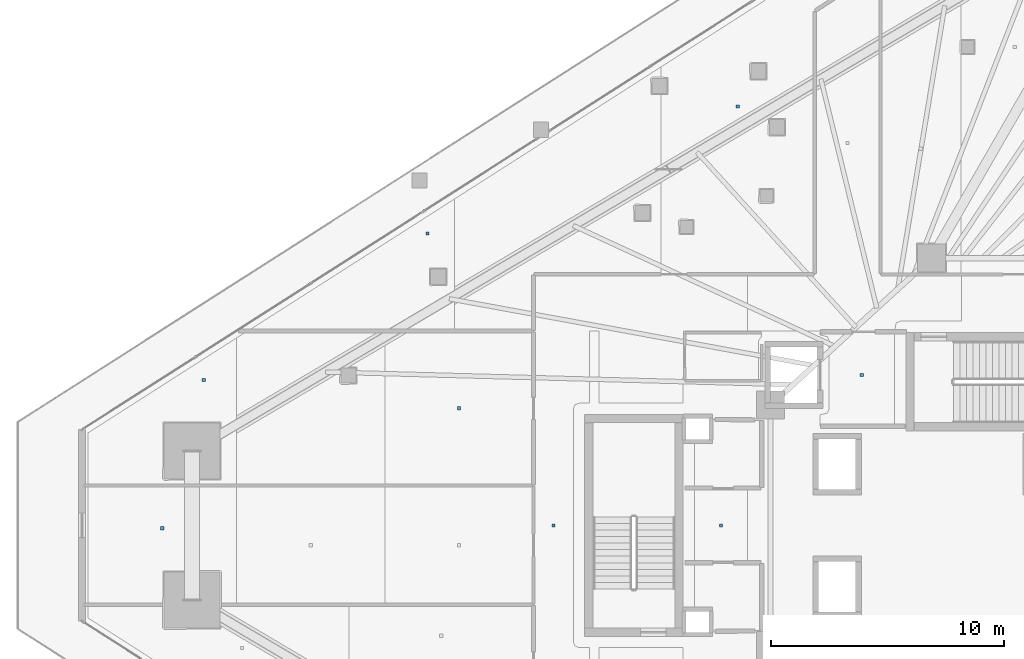
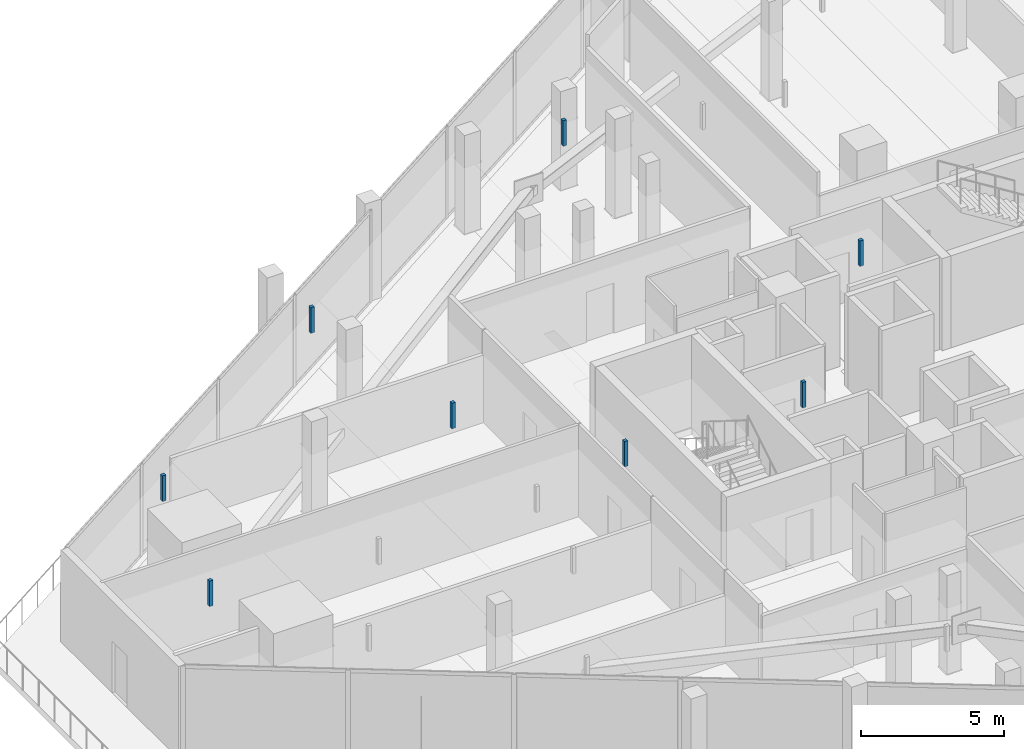
# One storey, part 42 of 52: 8 discrete accessories.
"""IFC4 building model written with IfcOpenShell, lengths in metres."""

from ifc_helpers import new_model, si_unit, direction, frame, origin, origin_2d, place, context, subcontext, project, spatial, rectangle, extrude, material, type_object, element, save


model = new_model("IFC4")

# Units and contexts
model_context = context("Model", 3, precision=1e-05, world=origin(), true_north=direction((0.0, 1.0)))
body_context = subcontext(model_context, "Body", "Model", "MODEL_VIEW")
ifc_project = project(units=[si_unit("LENGTHUNIT", "METRE"), si_unit("AREAUNIT", "SQUARE_METRE"), si_unit("VOLUMEUNIT", "CUBIC_METRE"), si_unit("PLANEANGLEUNIT", "RADIAN"), si_unit("MASSUNIT", "GRAM", prefix="KILO")], contexts=[model_context])

# Site, building, storey
site_placement = place(None, origin())
site = spatial("IfcSite", under=ifc_project, at=site_placement, CompositionType="ELEMENT")
building_placement = place(site_placement, origin())
building = spatial("IfcBuilding", under=site, at=building_placement, Name="Qorvath Tower", CompositionType="ELEMENT")
storey_placement = place(building_placement, frame((0.0, 0.0, 61.800048828125)))
storey = spatial("IfcBuildingStorey", under=building, at=storey_placement, Name="L13", CompositionType="ELEMENT", Elevation=61.800048828125)

# Discrete accessories
ifc_material = material(Name="Galvanised steel bracket", Category="steel")
discrete_accessory_type = type_object("IfcDiscreteAccessoryType", Name="DA-BRACKET", PredefinedType="BRACKET", material=ifc_material)
for number, where, z_axis, x_axis, name in (
    (1, (-26.590087890625, 6.449951171875, 2.85986328125), (0.0, 0.0, 1.0), (1.0, 0.0, 0.0), "Acoustic Ceiling Suspension Hanger T1-L13-001"),
    (2, (-39.797607421875, 0.0, 2.85986328125), (0.0, 0.0, 1.0), (1.0, 0.0, 0.0), "Acoustic Ceiling Suspension Hanger T1-L13-007"),
    (3, (-32.620849609375, 0.0, 2.85986328125), (0.0, 0.0, 1.0), (1.0, 0.0, 0.0), "Acoustic Ceiling Suspension Hanger T1-L13-008"),
    (4, (-45.199951171875, 12.5029296875, 2.85986328125), (0.0, 0.0, 1.0), (1.0, 0.0, 0.0), "Acoustic Ceiling Suspension Hanger T1-L13-010"),
    (5, (-31.90234375, 17.9443359375, 2.85986328125), (0.0, 0.0, 1.0), (1.0, 0.0, 0.0), "Acoustic Ceiling Suspension Hanger T1-L13-012"),
    (6, (-56.563232421875, -0.1181640625, 2.85986328125), (0.0, 0.0, 1.0), (1.0, 0.0, 0.0), "Acoustic Ceiling Suspension Hanger T1-L13-040"),
    (7, (-54.7880859375, 6.232666015625, 2.85986328125), (0.0, 0.0, 1.0), (1.0, 0.0, 0.0), "Acoustic Ceiling Suspension Hanger T1-L13-043"),
    (8, (-43.843017578125, 5.016357421875, 2.85986328125), (0.0, 0.0, 1.0), (1.0, 0.0, 0.0), "Acoustic Ceiling Suspension Hanger T1-L13-045"),
):
    element("IfcDiscreteAccessory", number, at=place(storey_placement, frame(where, z_axis=z_axis, x_axis=x_axis)), inside=storey, type_object=discrete_accessory_type, Name=name, PredefinedType="NOTDEFINED", context=body_context, shape_type="SweptSolid", body=[
        extrude(rectangle(XDim=0.139892578125, YDim=0.139892578125, at=origin_2d()), origin(), (0.0, 0.0, 1.0), 1.090087890625),
    ])

save(model, "model.ifc")
